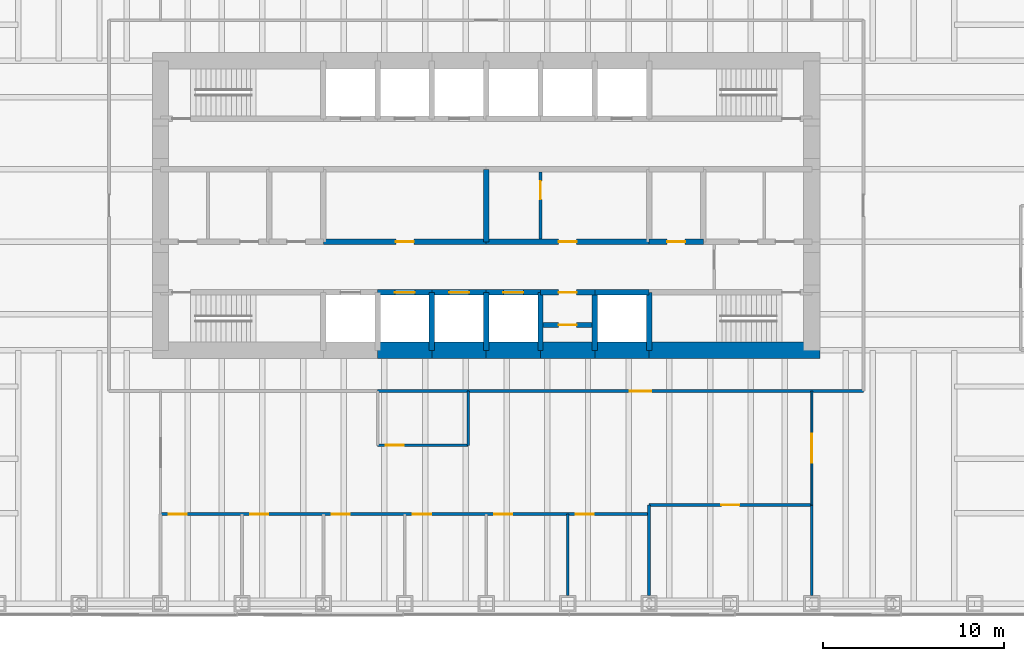
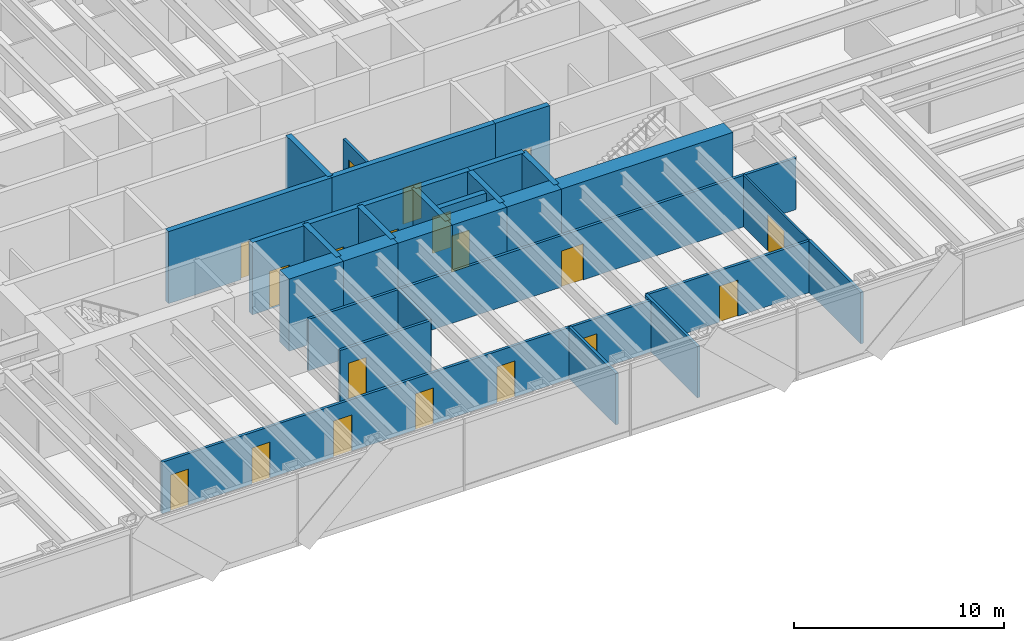
# One storey, part 12 of 15: 32 walls, 19 doors, 19 openings.
"""IFC4 building model written with IfcOpenShell, lengths in metres."""

from ifc_helpers import new_model, si_unit, direction, frame, frame_2d, origin, place, context, subcontext, project, spatial, rectangle, extrude, material, layer, layer_set, type_object, element, fill, save


model = new_model("IFC4")

# Units and contexts
model_context = context("Model", 3, precision=1e-05, world=origin(), true_north=direction((0.0, 1.0)))
body_context = subcontext(model_context, "Body", "Model", "MODEL_VIEW")
ifc_project = project(units=[si_unit("LENGTHUNIT", "METRE"), si_unit("AREAUNIT", "SQUARE_METRE"), si_unit("VOLUMEUNIT", "CUBIC_METRE"), si_unit("PLANEANGLEUNIT", "RADIAN"), si_unit("MASSUNIT", "GRAM", prefix="KILO")], contexts=[model_context])

# Site, building, storey
site_placement = place(None, origin())
site = spatial("IfcSite", under=ifc_project, at=site_placement, CompositionType="ELEMENT")
building_placement = place(site_placement, origin())
building = spatial("IfcBuilding", under=site, at=building_placement, Name="Rheinbord Bourse Tower", CompositionType="ELEMENT")
storey_placement = place(building_placement, frame((0.0, 0.0, 113.10009765625)))
storey = spatial("IfcBuildingStorey", under=building, at=storey_placement, Name="L24", CompositionType="ELEMENT", Elevation=113.10009765625)

# Wall, opening, door
ifc_material_1 = material(Name="Concrete C50/60", Category="concrete")
ifc_layer_1 = layer(ifc_material_1, 0.300048828125)
ifc_layer_set_1 = layer_set([ifc_layer_1], Name="CORE INNER WALL 300")
wall_type_1 = type_object("IfcWallType", Name="CORE INNER WALL 300", PredefinedType="SOLIDWALL", material=ifc_layer_set_1)
wall_1_placement = place(storey_placement, frame((30.0, 19.199951171875, 0.0), z_axis=(0.0, 0.0, 1.0), x_axis=(1.0, 0.0, 0.0)))
wall_1 = element("IfcWall", 1, at=wall_1_placement, inside=storey, type_object=wall_type_1, Name="Core wall A3 L24", PredefinedType="SOLIDWALL", context=body_context, shape_type="SweptSolid", body=[
    extrude(rectangle(XDim=3.0, YDim=0.300048828125, at=frame_2d((1.5, 0.0))), origin(), (0.0, 0.0, 1.0), 4.199951171875),
])
opening_1_placement = place(wall_1_placement, frame((0.949951171875, 0.0, 0.0)))
opening_1 = element("IfcOpeningElement", 2, at=opening_1_placement, cuts=wall_1, Name="Opening PB1", PredefinedType="OPENING", context=body_context, shape_type="SweptSolid", body=[
    extrude(rectangle(XDim=1.10009765625, YDim=2.199951171875, at=frame_2d((0.550048828125, 1.10009765625))), frame((0.0, 0.159912109375, 0.0), z_axis=(0.0, -1.0, 0.0), x_axis=(1.0, 0.0, 0.0)), (0.0, 0.0, 1.0), 0.320068359375),
])
ifc_material_2 = material(Name="Steel landing door", Category="steel")
door_type_1 = type_object("IfcDoorType", Name="LIFT LANDING DOOR 1100", OperationType="DOUBLE_DOOR_SLIDING", PredefinedType="USERDEFINED", material=ifc_material_2)
door_1_placement = place(opening_1_placement, origin())
door_1 = element("IfcDoor", 3, at=door_1_placement, inside=storey, type_object=door_type_1, Name="Lift landing door PB1 L24", ObjectType="LIFT LANDING DOOR", OperationType="DOUBLE_DOOR_SLIDING", OverallHeight=2.199951171875, OverallWidth=1.10009765625, PredefinedType="USERDEFINED", context=body_context, shape_type="SweptSolid", body=[
    extrude(rectangle(XDim=1.10009765625, YDim=2.199951171875, at=frame_2d((0.550048828125, 1.10009765625))), frame((0.0, 0.02490234375, 0.0), z_axis=(0.0, -1.0, 0.0), x_axis=(1.0, 0.0, 0.0)), (0.0, 0.0, 1.0), 0.050048828125),
])
fill(opening_1, door_1)

wall_2_placement = place(storey_placement, frame((33.0, 19.199951171875, 0.0), z_axis=(0.0, 0.0, 1.0), x_axis=(1.0, 0.0, 0.0)))
wall_2 = element("IfcWall", 4, at=wall_2_placement, inside=storey, type_object=wall_type_1, Name="Core wall A4 L24", PredefinedType="SOLIDWALL", context=body_context, shape_type="SweptSolid", body=[
    extrude(rectangle(XDim=3.0, YDim=0.300048828125, at=frame_2d((1.5, 0.0))), origin(), (0.0, 0.0, 1.0), 4.199951171875),
])
opening_2_placement = place(wall_2_placement, frame((0.949951171875, 0.0, 0.0)))
opening_2 = element("IfcOpeningElement", 5, at=opening_2_placement, cuts=wall_2, Name="Opening PB2", PredefinedType="OPENING", context=body_context, shape_type="SweptSolid", body=[
    extrude(rectangle(XDim=1.10009765625, YDim=2.199951171875, at=frame_2d((0.550048828125, 1.10009765625))), frame((0.0, 0.159912109375, 0.0), z_axis=(0.0, -1.0, 0.0), x_axis=(1.0, 0.0, 0.0)), (0.0, 0.0, 1.0), 0.320068359375),
])
door_2_placement = place(opening_2_placement, origin())
door_2 = element("IfcDoor", 6, at=door_2_placement, inside=storey, type_object=door_type_1, Name="Lift landing door PB2 L24", ObjectType="LIFT LANDING DOOR", OperationType="DOUBLE_DOOR_SLIDING", OverallHeight=2.199951171875, OverallWidth=1.10009765625, PredefinedType="USERDEFINED", context=body_context, shape_type="SweptSolid", body=[
    extrude(rectangle(XDim=1.10009765625, YDim=2.199951171875, at=frame_2d((0.550048828125, 1.10009765625))), frame((0.0, 0.02490234375, 0.0), z_axis=(0.0, -1.0, 0.0), x_axis=(1.0, 0.0, 0.0)), (0.0, 0.0, 1.0), 0.050048828125),
])
fill(opening_2, door_2)

wall_3_placement = place(storey_placement, frame((36.0, 19.199951171875, 0.0), z_axis=(0.0, 0.0, 1.0), x_axis=(1.0, 0.0, 0.0)))
wall_3 = element("IfcWall", 7, at=wall_3_placement, inside=storey, type_object=wall_type_1, Name="Core wall A5 L24", PredefinedType="SOLIDWALL", context=body_context, shape_type="SweptSolid", body=[
    extrude(rectangle(XDim=3.0, YDim=0.300048828125, at=frame_2d((1.5, 0.0))), origin(), (0.0, 0.0, 1.0), 4.199951171875),
])
opening_3_placement = place(wall_3_placement, frame((0.949951171875, 0.0, 0.0)))
opening_3 = element("IfcOpeningElement", 8, at=opening_3_placement, cuts=wall_3, Name="Opening PB3", PredefinedType="OPENING", context=body_context, shape_type="SweptSolid", body=[
    extrude(rectangle(XDim=1.10009765625, YDim=2.199951171875, at=frame_2d((0.550048828125, 1.10009765625))), frame((0.0, 0.159912109375, 0.0), z_axis=(0.0, -1.0, 0.0), x_axis=(1.0, 0.0, 0.0)), (0.0, 0.0, 1.0), 0.320068359375),
])
door_3_placement = place(opening_3_placement, origin())
door_3 = element("IfcDoor", 9, at=door_3_placement, inside=storey, type_object=door_type_1, Name="Lift landing door PB3 L24", ObjectType="LIFT LANDING DOOR", OperationType="DOUBLE_DOOR_SLIDING", OverallHeight=2.199951171875, OverallWidth=1.10009765625, PredefinedType="USERDEFINED", context=body_context, shape_type="SweptSolid", body=[
    extrude(rectangle(XDim=1.10009765625, YDim=2.199951171875, at=frame_2d((0.550048828125, 1.10009765625))), frame((0.0, 0.02490234375, 0.0), z_axis=(0.0, -1.0, 0.0), x_axis=(1.0, 0.0, 0.0)), (0.0, 0.0, 1.0), 0.050048828125),
])
fill(opening_3, door_3)

wall_4_placement = place(storey_placement, frame((39.0, 19.199951171875, 0.0), z_axis=(0.0, 0.0, 1.0), x_axis=(1.0, 0.0, 0.0)))
wall_4 = element("IfcWall", 10, at=wall_4_placement, inside=storey, type_object=wall_type_1, Name="Core wall A6 L24", PredefinedType="SOLIDWALL", context=body_context, shape_type="SweptSolid", body=[
    extrude(rectangle(XDim=3.0, YDim=0.300048828125, at=frame_2d((1.5, 0.0))), origin(), (0.0, 0.0, 1.0), 4.199951171875),
])
opening_4_placement = place(wall_4_placement, frame((1.0, 0.0, 0.0)))
opening_4 = element("IfcOpeningElement", 11, at=opening_4_placement, cuts=wall_4, Name="Opening 24R8", PredefinedType="OPENING", context=body_context, shape_type="SweptSolid", body=[
    extrude(rectangle(XDim=1.0, YDim=2.10009765625, at=frame_2d((0.5, 1.050048828125))), frame((0.0, 0.159912109375, 0.0), z_axis=(0.0, -1.0, 0.0), x_axis=(1.0, 0.0, 0.0)), (0.0, 0.0, 1.0), 0.320068359375),
])
ifc_material_3 = material(Name="Steel door", Category="steel")
door_type_2 = type_object("IfcDoorType", Name="DOOR 1000 EI30", OperationType="SINGLE_SWING_LEFT", PredefinedType="DOOR", material=ifc_material_3)
door_4_placement = place(opening_4_placement, origin())
door_4 = element("IfcDoor", 12, at=door_4_placement, inside=storey, type_object=door_type_2, Name="Store door L24", OperationType="SINGLE_SWING_LEFT", OverallHeight=2.10009765625, OverallWidth=1.0, PredefinedType="DOOR", context=body_context, shape_type="SweptSolid", body=[
    extrude(rectangle(XDim=1.0, YDim=2.10009765625, at=frame_2d((0.5, 1.050048828125))), frame((0.0, 0.02490234375, 0.0), z_axis=(0.0, -1.0, 0.0), x_axis=(1.0, 0.0, 0.0)), (0.0, 0.0, 1.0), 0.050048828125),
])
fill(opening_4, door_4)

# Wall
wall_5_placement = place(storey_placement, frame((42.0, 19.199951171875, 0.0), z_axis=(0.0, 0.0, 1.0), x_axis=(1.0, 0.0, 0.0)))
element("IfcWall", 13, at=wall_5_placement, inside=storey, type_object=wall_type_1, Name="Core wall A7 L24", PredefinedType="SOLIDWALL", context=body_context, shape_type="SweptSolid", body=[
    extrude(rectangle(XDim=3.0, YDim=0.300048828125, at=frame_2d((1.5, 0.0))), origin(), (0.0, 0.0, 1.0), 4.199951171875),
])

# Wall, opening, door
wall_6_placement = place(storey_placement, frame((27.0, 22.0, 0.0), z_axis=(0.0, 0.0, 1.0), x_axis=(1.0, 0.0, 0.0)))
wall_6 = element("IfcWall", 14, at=wall_6_placement, inside=storey, type_object=wall_type_1, Name="Core wall C3 L24", PredefinedType="SOLIDWALL", context=body_context, shape_type="SweptSolid", body=[
    extrude(rectangle(XDim=9.0, YDim=0.300048828125, at=frame_2d((4.5, 0.0))), origin(), (0.0, 0.0, 1.0), 4.199951171875),
])
opening_5_placement = place(wall_6_placement, frame((4.0, 0.0, 0.0)))
opening_5 = element("IfcOpeningElement", 15, at=opening_5_placement, cuts=wall_6, Name="Opening 24R3", PredefinedType="OPENING", context=body_context, shape_type="SweptSolid", body=[
    extrude(rectangle(XDim=1.0, YDim=2.10009765625, at=frame_2d((0.5, 1.050048828125))), frame((0.0, 0.159912109375, 0.0), z_axis=(0.0, -1.0, 0.0), x_axis=(1.0, 0.0, 0.0)), (0.0, 0.0, 1.0), 0.320068359375),
])
door_5_placement = place(opening_5_placement, origin())
door_5 = element("IfcDoor", 16, at=door_5_placement, inside=storey, type_object=door_type_2, Name="Riser door L24", OperationType="SINGLE_SWING_LEFT", OverallHeight=2.10009765625, OverallWidth=1.0, PredefinedType="DOOR", context=body_context, shape_type="SweptSolid", body=[
    extrude(rectangle(XDim=1.0, YDim=2.10009765625, at=frame_2d((0.5, 1.050048828125))), frame((0.0, 0.02490234375, 0.0), z_axis=(0.0, -1.0, 0.0), x_axis=(1.0, 0.0, 0.0)), (0.0, 0.0, 1.0), 0.050048828125),
])
fill(opening_5, door_5)

wall_7_placement = place(storey_placement, frame((36.0, 22.0, 0.0), z_axis=(0.0, 0.0, 1.0), x_axis=(1.0, 0.0, 0.0)))
wall_7 = element("IfcWall", 17, at=wall_7_placement, inside=storey, type_object=wall_type_1, Name="Core wall C4 L24", PredefinedType="SOLIDWALL", context=body_context, shape_type="SweptSolid", body=[
    extrude(rectangle(XDim=9.0, YDim=0.300048828125, at=frame_2d((4.5, 0.0))), origin(), (0.0, 0.0, 1.0), 4.199951171875),
])
opening_6_placement = place(wall_7_placement, frame((4.0, 0.0, 0.0)))
opening_6 = element("IfcOpeningElement", 18, at=opening_6_placement, cuts=wall_7, Name="Opening 24R4", PredefinedType="OPENING", context=body_context, shape_type="SweptSolid", body=[
    extrude(rectangle(XDim=1.0, YDim=2.10009765625, at=frame_2d((0.5, 1.050048828125))), frame((0.0, 0.159912109375, 0.0), z_axis=(0.0, -1.0, 0.0), x_axis=(1.0, 0.0, 0.0)), (0.0, 0.0, 1.0), 0.320068359375),
])
door_6_placement = place(opening_6_placement, origin())
door_6 = element("IfcDoor", 19, at=door_6_placement, inside=storey, type_object=door_type_2, Name="Pantry door L24", OperationType="SINGLE_SWING_LEFT", OverallHeight=2.10009765625, OverallWidth=1.0, PredefinedType="DOOR", context=body_context, shape_type="SweptSolid", body=[
    extrude(rectangle(XDim=1.0, YDim=2.10009765625, at=frame_2d((0.5, 1.050048828125))), frame((0.0, 0.02490234375, 0.0), z_axis=(0.0, -1.0, 0.0), x_axis=(1.0, 0.0, 0.0)), (0.0, 0.0, 1.0), 0.050048828125),
])
fill(opening_6, door_6)

wall_8_placement = place(storey_placement, frame((45.0, 22.0, 0.0), z_axis=(0.0, 0.0, 1.0), x_axis=(1.0, 0.0, 0.0)))
wall_8 = element("IfcWall", 20, at=wall_8_placement, inside=storey, type_object=wall_type_1, Name="Core wall C5 L24", PredefinedType="SOLIDWALL", context=body_context, shape_type="SweptSolid", body=[
    extrude(rectangle(XDim=3.0, YDim=0.300048828125, at=frame_2d((1.5, 0.0))), origin(), (0.0, 0.0, 1.0), 4.199951171875),
])
opening_7_placement = place(wall_8_placement, frame((1.0, 0.0, 0.0)))
opening_7 = element("IfcOpeningElement", 21, at=opening_7_placement, cuts=wall_8, Name="Opening 24R5", PredefinedType="OPENING", context=body_context, shape_type="SweptSolid", body=[
    extrude(rectangle(XDim=1.0, YDim=2.10009765625, at=frame_2d((0.5, 1.050048828125))), frame((0.0, 0.159912109375, 0.0), z_axis=(0.0, -1.0, 0.0), x_axis=(1.0, 0.0, 0.0)), (0.0, 0.0, 1.0), 0.320068359375),
])
ifc_material_4 = material(Name="Timber door", Category="wood")
door_type_3 = type_object("IfcDoorType", Name="DOOR 1000 WC", OperationType="SINGLE_SWING_LEFT", PredefinedType="DOOR", material=ifc_material_4)
door_7_placement = place(opening_7_placement, origin())
door_7 = element("IfcDoor", 22, at=door_7_placement, inside=storey, type_object=door_type_3, Name="Accessible WC door L24", OperationType="SINGLE_SWING_LEFT", OverallHeight=2.10009765625, OverallWidth=1.0, PredefinedType="DOOR", context=body_context, shape_type="SweptSolid", body=[
    extrude(rectangle(XDim=1.0, YDim=2.10009765625, at=frame_2d((0.5, 1.050048828125))), frame((0.0, 0.02490234375, 0.0), z_axis=(0.0, -1.0, 0.0), x_axis=(1.0, 0.0, 0.0)), (0.0, 0.0, 1.0), 0.050048828125),
])
fill(opening_7, door_7)

# Walls
for number, where, z_axis, x_axis, name in (
    (23, (33.0, 16.0, 0.0), (0.0, 0.0, 1.0), (0.0, 1.0, 0.0), "Core wall SX33 L24"),
    (24, (36.0, 16.0, 0.0), (0.0, 0.0, 1.0), (0.0, 1.0, 0.0), "Core wall SX36 L24"),
    (25, (39.0, 16.0, 0.0), (0.0, 0.0, 1.0), (0.0, 1.0, 0.0), "Core wall SX39 L24"),
    (26, (42.0, 16.0, 0.0), (0.0, 0.0, 1.0), (0.0, 1.0, 0.0), "Core wall SX42 L24"),
    (27, (45.0, 16.0, 0.0), (0.0, 0.0, 1.0), (0.0, 1.0, 0.0), "Core wall SX45 L24"),
):
    element("IfcWall", number, at=place(storey_placement, frame(where, z_axis=z_axis, x_axis=x_axis)), inside=storey, type_object=wall_type_1, Name=name, PredefinedType="SOLIDWALL", context=body_context, shape_type="SweptSolid", body=[
        extrude(rectangle(XDim=3.199951171875, YDim=0.300048828125, at=frame_2d((1.60009765625, 0.0))), origin(), (0.0, 0.0, 1.0), 4.199951171875),
    ])
wall_9_placement = place(storey_placement, frame((36.0, 22.0, 0.0), z_axis=(0.0, 0.0, 1.0), x_axis=(0.0, 1.0, 0.0)))
element("IfcWall", 28, at=wall_9_placement, inside=storey, type_object=wall_type_1, Name="Core wall MX36 L24", PredefinedType="SOLIDWALL", context=body_context, shape_type="SweptSolid", body=[
    extrude(rectangle(XDim=4.0, YDim=0.300048828125, at=frame_2d((2.0, 0.0))), origin(), (0.0, 0.0, 1.0), 4.199951171875),
])

# Wall, opening, door
wall_10_placement = place(storey_placement, frame((39.14990234375, 17.39990234375, 0.0), z_axis=(0.0, 0.0, 1.0), x_axis=(1.0, 0.0, 0.0)))
wall_10 = element("IfcWall", 29, at=wall_10_placement, inside=storey, type_object=wall_type_1, Name="Core riser wall L24-6", PredefinedType="SOLIDWALL", context=body_context, shape_type="SweptSolid", body=[
    extrude(rectangle(XDim=2.7001953125, YDim=0.300048828125, at=frame_2d((1.35009765625, 0.0))), origin(), (0.0, 0.0, 1.0), 4.039794921875),
])
opening_8_placement = place(wall_10_placement, frame((0.85009765625, 0.0, 0.0)))
opening_8 = element("IfcOpeningElement", 30, at=opening_8_placement, cuts=wall_10, Name="Opening 24R12", PredefinedType="OPENING", context=body_context, shape_type="SweptSolid", body=[
    extrude(rectangle(XDim=1.0, YDim=2.10009765625, at=frame_2d((0.5, 1.050048828125))), frame((0.0, 0.159912109375, 0.0), z_axis=(0.0, -1.0, 0.0), x_axis=(1.0, 0.0, 0.0)), (0.0, 0.0, 1.0), 0.320068359375),
])
door_8_placement = place(opening_8_placement, origin())
door_8 = element("IfcDoor", 31, at=door_8_placement, inside=storey, type_object=door_type_2, Name="Comms riser door L24", OperationType="SINGLE_SWING_LEFT", OverallHeight=2.10009765625, OverallWidth=1.0, PredefinedType="DOOR", context=body_context, shape_type="SweptSolid", body=[
    extrude(rectangle(XDim=1.0, YDim=2.10009765625, at=frame_2d((0.5, 1.050048828125))), frame((0.0, 0.02490234375, 0.0), z_axis=(0.0, -1.0, 0.0), x_axis=(1.0, 0.0, 0.0)), (0.0, 0.0, 1.0), 0.050048828125),
])
fill(opening_8, door_8)

ifc_material_5 = material(Name="Gypsum board fire partition", Category="gypsum board")
ifc_layer_2 = layer(ifc_material_5, 0.14990234375)
ifc_layer_set_2 = layer_set([ifc_layer_2], Name="CORE PARTITION 150 EI30")
wall_type_2 = type_object("IfcWallType", Name="CORE PARTITION 150 EI30", PredefinedType="PARTITIONING", material=ifc_layer_set_2)
wall_11_placement = place(storey_placement, frame((39.0, 22.14990234375, 0.0), z_axis=(0.0, 0.0, 1.0), x_axis=(0.0, 1.0, 0.0)))
wall_11 = element("IfcWall", 32, at=wall_11_placement, inside=storey, type_object=wall_type_2, Name="Core partition L24-1", PredefinedType="PARTITIONING", context=body_context, shape_type="SweptSolid", body=[
    extrude(rectangle(XDim=3.7001953125, YDim=0.14990234375, at=frame_2d((1.85009765625, 0.0))), origin(), (0.0, 0.0, 1.0), 3.0),
])
opening_9_placement = place(wall_11_placement, frame((2.199951171875, 0.0, 0.0)))
opening_9 = element("IfcOpeningElement", 33, at=opening_9_placement, cuts=wall_11, Name="Opening 24R7", PredefinedType="OPENING", context=body_context, shape_type="SweptSolid", body=[
    extrude(rectangle(XDim=1.0, YDim=2.10009765625, at=frame_2d((0.5, 1.050048828125))), frame((0.0, 0.0849609375, 0.0), z_axis=(0.0, -1.0, 0.0), x_axis=(1.0, 0.0, 0.0)), (0.0, 0.0, 1.0), 0.169921875),
])
door_9_placement = place(opening_9_placement, origin())
door_9 = element("IfcDoor", 34, at=door_9_placement, inside=storey, type_object=door_type_2, Name="Cleaner's store door L24", OperationType="SINGLE_SWING_RIGHT", OverallHeight=2.10009765625, OverallWidth=1.0, PredefinedType="DOOR", context=body_context, shape_type="SweptSolid", body=[
    extrude(rectangle(XDim=1.0, YDim=2.10009765625, at=frame_2d((0.5, 1.050048828125))), frame((0.0, 0.02490234375, 0.0), z_axis=(0.0, -1.0, 0.0), x_axis=(1.0, 0.0, 0.0)), (0.0, 0.0, 1.0), 0.050048828125),
])
fill(opening_9, door_9)

# Walls
ifc_material_6 = material(Name="Concrete C50/60", Category="concrete")
ifc_layer_3 = layer(ifc_material_6, 0.89990234375)
ifc_layer_set_3 = layer_set([ifc_layer_3], Name="CORE WALL 900")
wall_type_3 = type_object("IfcWallType", Name="CORE WALL 900", PredefinedType="SHEAR", material=ifc_layer_set_3)
for number, where, z_axis, x_axis, name in (
    (35, (30.0, 16.0, 0.0), (0.0, 0.0, 1.0), (1.0, 0.0, 0.0), "Core wall S3 L24"),
    (36, (33.0, 16.0, 0.0), (0.0, 0.0, 1.0), (1.0, 0.0, 0.0), "Core wall S4 L24"),
    (37, (36.0, 16.0, 0.0), (0.0, 0.0, 1.0), (1.0, 0.0, 0.0), "Core wall S5 L24"),
    (38, (39.0, 16.0, 0.0), (0.0, 0.0, 1.0), (1.0, 0.0, 0.0), "Core wall S6 L24"),
    (39, (42.0, 16.0, 0.0), (0.0, 0.0, 1.0), (1.0, 0.0, 0.0), "Core wall S7 L24"),
):
    element("IfcWall", number, at=place(storey_placement, frame(where, z_axis=z_axis, x_axis=x_axis)), inside=storey, type_object=wall_type_3, Name=name, PredefinedType="SHEAR", context=body_context, shape_type="SweptSolid", body=[
        extrude(rectangle(XDim=3.0, YDim=0.89990234375, at=frame_2d((1.5, 0.0))), origin(), (0.0, 0.0, 1.0), 4.199951171875),
    ])
wall_12_placement = place(storey_placement, frame((45.0, 16.0, 0.0), z_axis=(0.0, 0.0, 1.0), x_axis=(1.0, 0.0, 0.0)))
element("IfcWall", 40, at=wall_12_placement, inside=storey, type_object=wall_type_3, Name="Core wall S8 L24", PredefinedType="SHEAR", context=body_context, shape_type="SweptSolid", body=[
    extrude(rectangle(XDim=9.449951171875, YDim=0.89990234375, at=frame_2d((4.72509765625, 0.0))), origin(), (0.0, 0.0, 1.0), 4.199951171875),
])

# Wall, opening, door
ifc_material_7 = material(Name="Gypsum board corridor partition", Category="gypsum board")
ifc_layer_4 = layer(ifc_material_7, 0.14990234375)
ifc_layer_set_4 = layer_set([ifc_layer_4], Name="CORRIDOR PARTITION 150 EI30")
wall_type_4 = type_object("IfcWallType", Name="CORRIDOR PARTITION 150 EI30", PredefinedType="PARTITIONING", material=ifc_layer_set_4)
wall_13_placement = place(storey_placement, frame((35.0, 13.75, 0.0), z_axis=(0.0, 0.0, 1.0), x_axis=(1.0, 0.0, 0.0)))
wall_13 = element("IfcWall", 41, at=wall_13_placement, inside=storey, type_object=wall_type_4, Name="Partition L24-06", PredefinedType="PARTITIONING", context=body_context, shape_type="SweptSolid", body=[
    extrude(rectangle(XDim=21.85009765625, YDim=0.14990234375, at=frame_2d((10.925048828125, 0.0))), origin(), (0.0, 0.0, 1.0), 3.0),
])
opening_10_placement = place(wall_13_placement, frame((8.925048828125, 0.0, 0.0)))
opening_10 = element("IfcOpeningElement", 42, at=opening_10_placement, cuts=wall_13, Name="Opening 24D26", PredefinedType="OPENING", context=body_context, shape_type="SweptSolid", body=[
    extrude(rectangle(XDim=1.199951171875, YDim=2.10009765625, at=frame_2d((0.60009765625, 1.050048828125))), frame((0.0, 0.0849609375, 0.0), z_axis=(0.0, -1.0, 0.0), x_axis=(1.0, 0.0, 0.0)), (0.0, 0.0, 1.0), 0.169921875),
])
ifc_material_8 = material(Name="Timber fire door", Category="wood")
door_type_4 = type_object("IfcDoorType", Name="SUITE ENTRANCE DOOR 1200 EI30", OperationType="SINGLE_SWING_LEFT", PredefinedType="DOOR", material=ifc_material_8)
door_10_placement = place(opening_10_placement, origin())
door_10 = element("IfcDoor", 43, at=door_10_placement, inside=storey, type_object=door_type_4, Name="Suite entrance 3 door L24", OperationType="SINGLE_SWING_LEFT", OverallHeight=2.10009765625, OverallWidth=1.199951171875, PredefinedType="DOOR", context=body_context, shape_type="SweptSolid", body=[
    extrude(rectangle(XDim=1.199951171875, YDim=2.10009765625, at=frame_2d((0.60009765625, 1.050048828125))), frame((0.0, 0.02490234375, 0.0), z_axis=(0.0, -1.0, 0.0), x_axis=(1.0, 0.0, 0.0)), (0.0, 0.0, 1.0), 0.050048828125),
])
fill(opening_10, door_10)

ifc_material_9 = material(Name="Gypsum board fire partition", Category="gypsum board")
ifc_layer_5 = layer(ifc_material_9, 0.14990234375)
ifc_layer_set_5 = layer_set([ifc_layer_5], Name="FIRE PARTITION 150 EI60")
wall_type_5 = type_object("IfcWallType", Name="FIRE PARTITION 150 EI60", PredefinedType="PARTITIONING", material=ifc_layer_set_5)
wall_14_placement = place(storey_placement, frame((30.0, 10.75, 0.0), z_axis=(0.0, 0.0, 1.0), x_axis=(1.0, 0.0, 0.0)))
wall_14 = element("IfcWall", 44, at=wall_14_placement, inside=storey, type_object=wall_type_5, Name="Partition L24-03", PredefinedType="PARTITIONING", context=body_context, shape_type="SweptSolid", body=[
    extrude(rectangle(XDim=5.0, YDim=0.14990234375, at=frame_2d((2.5, 0.0))), origin(), (0.0, 0.0, 1.0), 3.0),
])
opening_11_placement = place(wall_14_placement, frame((0.449951171875, 0.0, 0.0)))
opening_11 = element("IfcOpeningElement", 45, at=opening_11_placement, cuts=wall_14, Name="Opening 24D08", PredefinedType="OPENING", context=body_context, shape_type="SweptSolid", body=[
    extrude(rectangle(XDim=1.0, YDim=2.10009765625, at=frame_2d((0.5, 1.050048828125))), frame((0.0, 0.0849609375, 0.0), z_axis=(0.0, -1.0, 0.0), x_axis=(1.0, 0.0, 0.0)), (0.0, 0.0, 1.0), 0.169921875),
])
ifc_material_10 = material(Name="Timber fire door", Category="wood")
door_type_5 = type_object("IfcDoorType", Name="FIRE DOOR 1000 EI60", OperationType="SINGLE_SWING_LEFT", PredefinedType="DOOR", material=ifc_material_10)
door_11_placement = place(opening_11_placement, origin())
door_11 = element("IfcDoor", 46, at=door_11_placement, inside=storey, type_object=door_type_5, Name="Comms room door L24", OperationType="SINGLE_SWING_LEFT", OverallHeight=2.10009765625, OverallWidth=1.0, PredefinedType="DOOR", context=body_context, shape_type="SweptSolid", body=[
    extrude(rectangle(XDim=1.0, YDim=2.10009765625, at=frame_2d((0.5, 1.050048828125))), frame((0.0, 0.02490234375, 0.0), z_axis=(0.0, -1.0, 0.0), x_axis=(1.0, 0.0, 0.0)), (0.0, 0.0, 1.0), 0.050048828125),
])
fill(opening_11, door_11)

# Walls
wall_15_placement = place(storey_placement, frame((30.0, 13.75, 0.0), z_axis=(0.0, 0.0, 1.0), x_axis=(1.0, 0.0, 0.0)))
element("IfcWall", 47, at=wall_15_placement, inside=storey, type_object=wall_type_5, Name="Partition L24-05", PredefinedType="PARTITIONING", context=body_context, shape_type="SweptSolid", body=[
    extrude(rectangle(XDim=5.0, YDim=0.14990234375, at=frame_2d((2.5, 0.0))), origin(), (0.0, 0.0, 1.0), 3.0),
])
wall_16_placement = place(storey_placement, frame((35.0, 10.75, 0.0), z_axis=(0.0, 0.0, 1.0), x_axis=(0.0, 1.0, 0.0)))
element("IfcWall", 48, at=wall_16_placement, inside=storey, type_object=wall_type_5, Name="Partition L24-29", PredefinedType="PARTITIONING", context=body_context, shape_type="SweptSolid", body=[
    extrude(rectangle(XDim=3.0, YDim=0.14990234375, at=frame_2d((1.5, 0.0))), origin(), (0.0, 0.0, 1.0), 3.0),
])

# Wall, opening, door
ifc_material_11 = material(Name="Toughened laminated glass partition", Category="glass")
ifc_layer_6 = layer(ifc_material_11, 0.10009765625)
ifc_layer_set_6 = layer_set([ifc_layer_6], Name="GLAZED PARTITION 100")
wall_type_6 = type_object("IfcWallType", Name="GLAZED PARTITION 100", PredefinedType="PARTITIONING", material=ifc_layer_set_6)
wall_17_placement = place(storey_placement, frame((54.0, 7.449951171875, 0.0), z_axis=(0.0, 0.0, 1.0), x_axis=(0.0, 1.0, 0.0)))
wall_17 = element("IfcWall", 49, at=wall_17_placement, inside=storey, type_object=wall_type_6, Name="Partition L24-38", PredefinedType="PARTITIONING", context=body_context, shape_type="SweptSolid", body=[
    extrude(rectangle(XDim=6.300048828125, YDim=0.10009765625, at=frame_2d((3.14990234375, 0.0))), origin(), (0.0, 0.0, 1.0), 3.0),
])
opening_12_placement = place(wall_17_placement, frame((2.35009765625, 0.0, 0.0)))
opening_12 = element("IfcOpeningElement", 50, at=opening_12_placement, cuts=wall_17, Name="Opening 24D22", PredefinedType="OPENING", context=body_context, shape_type="SweptSolid", body=[
    extrude(rectangle(XDim=1.60009765625, YDim=2.10009765625, at=frame_2d((0.800048828125, 1.050048828125))), frame((0.0, 0.06005859375, 0.0), z_axis=(0.0, -1.0, 0.0), x_axis=(1.0, 0.0, 0.0)), (0.0, 0.0, 1.0), 0.1201171875),
])
ifc_material_12 = material(Name="Timber door", Category="wood")
door_type_6 = type_object("IfcDoorType", Name="DOUBLE ROOM DOOR 1600", OperationType="DOUBLE_DOOR_DOUBLE_SWING", PredefinedType="DOOR", material=ifc_material_12)
door_12_placement = place(opening_12_placement, origin())
door_12 = element("IfcDoor", 51, at=door_12_placement, inside=storey, type_object=door_type_6, Name="Open area door L24", OperationType="SINGLE_SWING_LEFT", OverallHeight=2.10009765625, OverallWidth=1.60009765625, PredefinedType="DOOR", context=body_context, shape_type="SweptSolid", body=[
    extrude(rectangle(XDim=1.60009765625, YDim=2.10009765625, at=frame_2d((0.800048828125, 1.050048828125))), frame((0.0, 0.02490234375, 0.0), z_axis=(0.0, -1.0, 0.0), x_axis=(1.0, 0.0, 0.0)), (0.0, 0.0, 1.0), 0.050048828125),
])
fill(opening_12, door_12)

# Wall, openings, doors
ifc_material_13 = material(Name="Gypsum board partition", Category="gypsum board")
ifc_layer_7 = layer(ifc_material_13, 0.14990234375)
ifc_layer_set_7 = layer_set([ifc_layer_7], Name="PARTITION 150")
wall_type_7 = type_object("IfcWallType", Name="PARTITION 150", PredefinedType="PARTITIONING", material=ifc_layer_set_7)
wall_18_placement = place(storey_placement, frame((18.0, 6.949951171875, 0.0), z_axis=(0.0, 0.0, 1.0), x_axis=(1.0, 0.0, 0.0)))
wall_18 = element("IfcWall", 52, at=wall_18_placement, inside=storey, type_object=wall_type_7, Name="Partition L24-01", PredefinedType="PARTITIONING", context=body_context, shape_type="SweptSolid", body=[
    extrude(rectangle(XDim=27.0, YDim=0.14990234375, at=frame_2d((13.5, 0.0))), origin(), (0.0, 0.0, 1.0), 3.0),
])
opening_13_placement = place(wall_18_placement, frame((0.449951171875, 0.0, 0.0)))
opening_13 = element("IfcOpeningElement", 53, at=opening_13_placement, cuts=wall_18, Name="Opening 24D01", PredefinedType="OPENING", context=body_context, shape_type="SweptSolid", body=[
    extrude(rectangle(XDim=1.0, YDim=2.10009765625, at=frame_2d((0.5, 1.050048828125))), frame((0.0, 0.0849609375, 0.0), z_axis=(0.0, -1.0, 0.0), x_axis=(1.0, 0.0, 0.0)), (0.0, 0.0, 1.0), 0.169921875),
])
opening_14_placement = place(wall_18_placement, frame((4.949951171875, 0.0, 0.0)))
opening_14 = element("IfcOpeningElement", 54, at=opening_14_placement, cuts=wall_18, Name="Opening 24D02", PredefinedType="OPENING", context=body_context, shape_type="SweptSolid", body=[
    extrude(rectangle(XDim=1.0, YDim=2.10009765625, at=frame_2d((0.5, 1.050048828125))), frame((0.0, 0.0849609375, 0.0), z_axis=(0.0, -1.0, 0.0), x_axis=(1.0, 0.0, 0.0)), (0.0, 0.0, 1.0), 0.169921875),
])
opening_15_placement = place(wall_18_placement, frame((9.449951171875, 0.0, 0.0)))
opening_15 = element("IfcOpeningElement", 55, at=opening_15_placement, cuts=wall_18, Name="Opening 24D03", PredefinedType="OPENING", context=body_context, shape_type="SweptSolid", body=[
    extrude(rectangle(XDim=1.0, YDim=2.10009765625, at=frame_2d((0.5, 1.050048828125))), frame((0.0, 0.0849609375, 0.0), z_axis=(0.0, -1.0, 0.0), x_axis=(1.0, 0.0, 0.0)), (0.0, 0.0, 1.0), 0.169921875),
])
opening_16_placement = place(wall_18_placement, frame((13.949951171875, 0.0, 0.0)))
opening_16 = element("IfcOpeningElement", 56, at=opening_16_placement, cuts=wall_18, Name="Opening 24D04", PredefinedType="OPENING", context=body_context, shape_type="SweptSolid", body=[
    extrude(rectangle(XDim=1.0, YDim=2.10009765625, at=frame_2d((0.5, 1.050048828125))), frame((0.0, 0.0849609375, 0.0), z_axis=(0.0, -1.0, 0.0), x_axis=(1.0, 0.0, 0.0)), (0.0, 0.0, 1.0), 0.169921875),
])
opening_17_placement = place(wall_18_placement, frame((18.449951171875, 0.0, 0.0)))
opening_17 = element("IfcOpeningElement", 57, at=opening_17_placement, cuts=wall_18, Name="Opening 24D05", PredefinedType="OPENING", context=body_context, shape_type="SweptSolid", body=[
    extrude(rectangle(XDim=1.0, YDim=2.10009765625, at=frame_2d((0.5, 1.050048828125))), frame((0.0, 0.0849609375, 0.0), z_axis=(0.0, -1.0, 0.0), x_axis=(1.0, 0.0, 0.0)), (0.0, 0.0, 1.0), 0.169921875),
])
opening_18_placement = place(wall_18_placement, frame((22.949951171875, 0.0, 0.0)))
opening_18 = element("IfcOpeningElement", 58, at=opening_18_placement, cuts=wall_18, Name="Opening 24D06", PredefinedType="OPENING", context=body_context, shape_type="SweptSolid", body=[
    extrude(rectangle(XDim=1.0, YDim=2.10009765625, at=frame_2d((0.5, 1.050048828125))), frame((0.0, 0.0849609375, 0.0), z_axis=(0.0, -1.0, 0.0), x_axis=(1.0, 0.0, 0.0)), (0.0, 0.0, 1.0), 0.169921875),
])
ifc_material_14 = material(Name="Timber door", Category="wood")
door_type_7 = type_object("IfcDoorType", Name="ROOM DOOR 1000", OperationType="SINGLE_SWING_LEFT", PredefinedType="DOOR", material=ifc_material_14)
door_13_placement = place(opening_13_placement, origin())
door_13 = element("IfcDoor", 59, at=door_13_placement, inside=storey, type_object=door_type_7, Name="Office door L24", OperationType="SINGLE_SWING_LEFT", OverallHeight=2.10009765625, OverallWidth=1.0, PredefinedType="DOOR", context=body_context, shape_type="SweptSolid", body=[
    extrude(rectangle(XDim=1.0, YDim=2.10009765625, at=frame_2d((0.5, 1.050048828125))), frame((0.0, 0.02490234375, 0.0), z_axis=(0.0, -1.0, 0.0), x_axis=(1.0, 0.0, 0.0)), (0.0, 0.0, 1.0), 0.050048828125),
])
fill(opening_13, door_13)
door_14_placement = place(opening_14_placement, origin())
door_14 = element("IfcDoor", 60, at=door_14_placement, inside=storey, type_object=door_type_7, Name="Office door L24", OperationType="SINGLE_SWING_LEFT", OverallHeight=2.10009765625, OverallWidth=1.0, PredefinedType="DOOR", context=body_context, shape_type="SweptSolid", body=[
    extrude(rectangle(XDim=1.0, YDim=2.10009765625, at=frame_2d((0.5, 1.050048828125))), frame((0.0, 0.02490234375, 0.0), z_axis=(0.0, -1.0, 0.0), x_axis=(1.0, 0.0, 0.0)), (0.0, 0.0, 1.0), 0.050048828125),
])
fill(opening_14, door_14)
door_15_placement = place(opening_15_placement, origin())
door_15 = element("IfcDoor", 61, at=door_15_placement, inside=storey, type_object=door_type_7, Name="Office door L24", OperationType="SINGLE_SWING_LEFT", OverallHeight=2.10009765625, OverallWidth=1.0, PredefinedType="DOOR", context=body_context, shape_type="SweptSolid", body=[
    extrude(rectangle(XDim=1.0, YDim=2.10009765625, at=frame_2d((0.5, 1.050048828125))), frame((0.0, 0.02490234375, 0.0), z_axis=(0.0, -1.0, 0.0), x_axis=(1.0, 0.0, 0.0)), (0.0, 0.0, 1.0), 0.050048828125),
])
fill(opening_15, door_15)
door_16_placement = place(opening_16_placement, origin())
door_16 = element("IfcDoor", 62, at=door_16_placement, inside=storey, type_object=door_type_7, Name="Office door L24", OperationType="SINGLE_SWING_RIGHT", OverallHeight=2.10009765625, OverallWidth=1.0, PredefinedType="DOOR", context=body_context, shape_type="SweptSolid", body=[
    extrude(rectangle(XDim=1.0, YDim=2.10009765625, at=frame_2d((0.5, 1.050048828125))), frame((0.0, 0.02490234375, 0.0), z_axis=(0.0, -1.0, 0.0), x_axis=(1.0, 0.0, 0.0)), (0.0, 0.0, 1.0), 0.050048828125),
])
fill(opening_16, door_16)
door_17_placement = place(opening_17_placement, origin())
door_17 = element("IfcDoor", 63, at=door_17_placement, inside=storey, type_object=door_type_7, Name="Office door L24", OperationType="SINGLE_SWING_RIGHT", OverallHeight=2.10009765625, OverallWidth=1.0, PredefinedType="DOOR", context=body_context, shape_type="SweptSolid", body=[
    extrude(rectangle(XDim=1.0, YDim=2.10009765625, at=frame_2d((0.5, 1.050048828125))), frame((0.0, 0.02490234375, 0.0), z_axis=(0.0, -1.0, 0.0), x_axis=(1.0, 0.0, 0.0)), (0.0, 0.0, 1.0), 0.050048828125),
])
fill(opening_17, door_17)
door_18_placement = place(opening_18_placement, origin())
door_18 = element("IfcDoor", 64, at=door_18_placement, inside=storey, type_object=door_type_7, Name="Office door L24", OperationType="SINGLE_SWING_RIGHT", OverallHeight=2.10009765625, OverallWidth=1.0, PredefinedType="DOOR", context=body_context, shape_type="SweptSolid", body=[
    extrude(rectangle(XDim=1.0, YDim=2.10009765625, at=frame_2d((0.5, 1.050048828125))), frame((0.0, 0.02490234375, 0.0), z_axis=(0.0, -1.0, 0.0), x_axis=(1.0, 0.0, 0.0)), (0.0, 0.0, 1.0), 0.050048828125),
])
fill(opening_18, door_18)

# Wall, opening, door
wall_19_placement = place(storey_placement, frame((45.0, 7.449951171875, 0.0), z_axis=(0.0, 0.0, 1.0), x_axis=(1.0, 0.0, 0.0)))
wall_19 = element("IfcWall", 65, at=wall_19_placement, inside=storey, type_object=wall_type_7, Name="Partition L24-02", PredefinedType="PARTITIONING", context=body_context, shape_type="SweptSolid", body=[
    extrude(rectangle(XDim=9.0, YDim=0.14990234375, at=frame_2d((4.5, 0.0))), origin(), (0.0, 0.0, 1.0), 3.0),
])
opening_19_placement = place(wall_19_placement, frame((4.0, 0.0, 0.0)))
opening_19 = element("IfcOpeningElement", 66, at=opening_19_placement, cuts=wall_19, Name="Opening 24D07", PredefinedType="OPENING", context=body_context, shape_type="SweptSolid", body=[
    extrude(rectangle(XDim=1.0, YDim=2.10009765625, at=frame_2d((0.5, 1.050048828125))), frame((0.0, 0.0849609375, 0.0), z_axis=(0.0, -1.0, 0.0), x_axis=(1.0, 0.0, 0.0)), (0.0, 0.0, 1.0), 0.169921875),
])
door_19_placement = place(opening_19_placement, origin())
door_19 = element("IfcDoor", 67, at=door_19_placement, inside=storey, type_object=door_type_7, Name="Document review room door L24", OperationType="SINGLE_SWING_LEFT", OverallHeight=2.10009765625, OverallWidth=1.0, PredefinedType="DOOR", context=body_context, shape_type="SweptSolid", body=[
    extrude(rectangle(XDim=1.0, YDim=2.10009765625, at=frame_2d((0.5, 1.050048828125))), frame((0.0, 0.02490234375, 0.0), z_axis=(0.0, -1.0, 0.0), x_axis=(1.0, 0.0, 0.0)), (0.0, 0.0, 1.0), 0.050048828125),
])
fill(opening_19, door_19)

# Walls
wall_20_placement = place(storey_placement, frame((40.5, 2.449951171875, 0.0), z_axis=(0.0, 0.0, 1.0), x_axis=(0.0, 1.0, 0.0)))
element("IfcWall", 68, at=wall_20_placement, inside=storey, type_object=wall_type_7, Name="Partition L24-32", PredefinedType="PARTITIONING", context=body_context, shape_type="SweptSolid", body=[
    extrude(rectangle(XDim=4.5, YDim=0.14990234375, at=frame_2d((2.25, 0.0))), origin(), (0.0, 0.0, 1.0), 3.0),
])
for number, where, z_axis, x_axis, name in (
    (69, (45.0, 2.449951171875, 0.0), (0.0, 0.0, 1.0), (0.0, 1.0, 0.0), "Partition L24-34"),
    (70, (54.0, 2.449951171875, 0.0), (0.0, 0.0, 1.0), (0.0, 1.0, 0.0), "Partition L24-37"),
):
    element("IfcWall", number, at=place(storey_placement, frame(where, z_axis=z_axis, x_axis=x_axis)), inside=storey, type_object=wall_type_7, Name=name, PredefinedType="PARTITIONING", context=body_context, shape_type="SweptSolid", body=[
        extrude(rectangle(XDim=5.0, YDim=0.14990234375, at=frame_2d((2.5, 0.0))), origin(), (0.0, 0.0, 1.0), 3.0),
    ])

save(model, "model.ifc")
